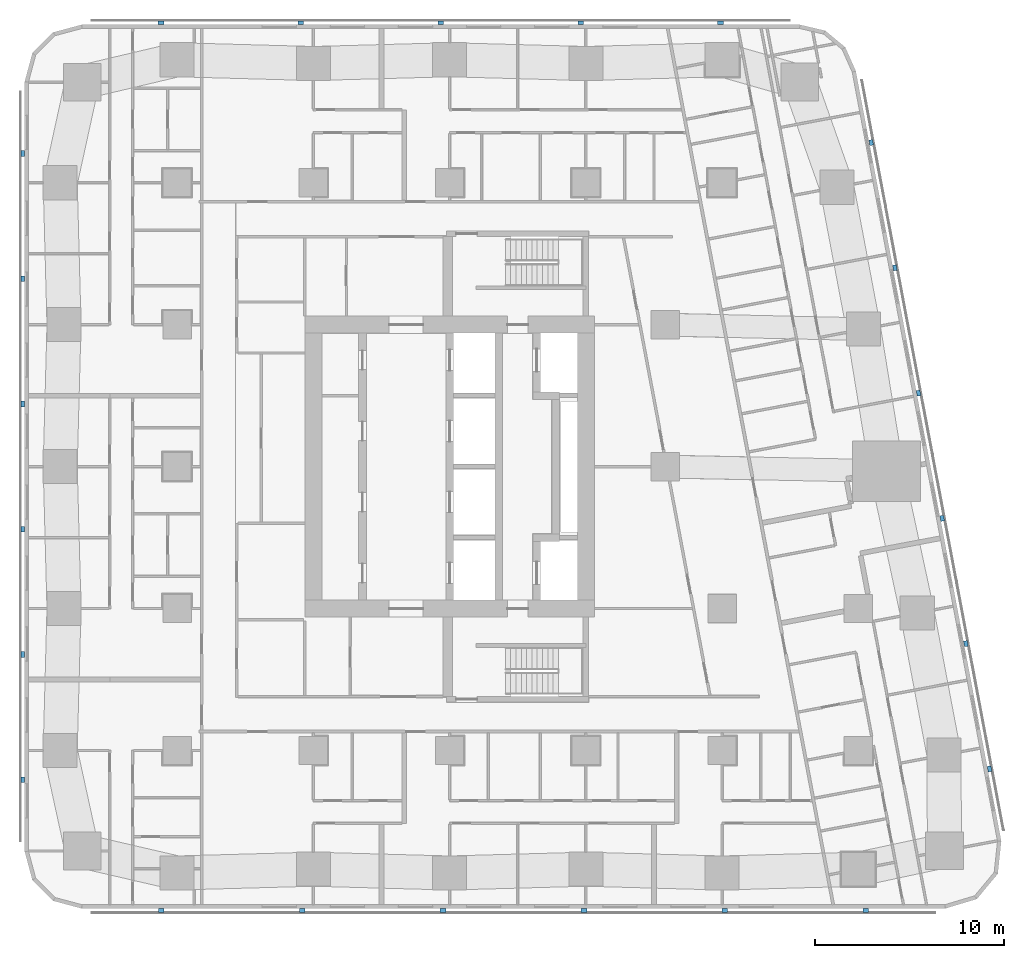
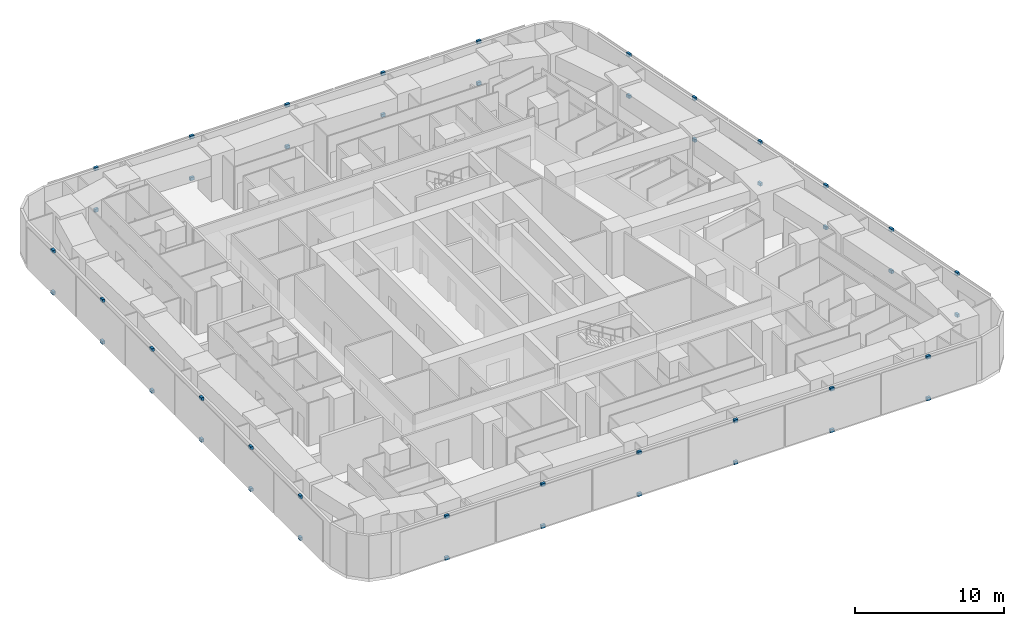
# One storey, part 12 of 15: 46 discrete accessories.
"""IFC4 building model written with IfcOpenShell, lengths in metres."""

import ifcopenshell
import ifcopenshell.guid

model = None  # the IFC model being written
_history = None  # IfcOwnerHistory: only IFC2X3 demands one
_inside = {}  # id of a spatial element -> (the spatial element, [elements in it])
_under = {}  # id of a project, library or spatial element -> (it, [spatial elements below it])
_declared = {}  # id of a project -> (the project, [libraries it declares])
_typed = {}  # id of a type object -> (the type object, [elements of that type])
_made_of = {}  # id of a material, layer set ... -> (it, [elements and type objects made of it])


def new_model(schema):
    """Start an empty IFC model of exactly this schema.

    Asked for "IFC4X3", IfcOpenShell would pick the latest addendum, in which some entities
    have other attributes; the version numbers below select the first issue.
    IFC2X3 requires an IfcOwnerHistory on every rooted entity: one is made here for all.
    """
    global model, _history
    if schema == "IFC4X3":
        model = ifcopenshell.file(schema_version=(4, 3, 0, 0))
    else:
        model = ifcopenshell.file(schema=schema)
    _inside.clear()
    _under.clear()
    _declared.clear()
    _typed.clear()
    _made_of.clear()
    _history = None
    if model.schema == "IFC2X3":
        org = make("IfcOrganization", Name="unknown")
        user = make(
            "IfcPersonAndOrganization",
            ThePerson=make("IfcPerson", FamilyName="unknown"),
            TheOrganization=org,
        )
        app = make(
            "IfcApplication",
            ApplicationDeveloper=org,
            Version="unknown",
            ApplicationFullName="unknown",
            ApplicationIdentifier="unknown",
        )
        _history = make(
            "IfcOwnerHistory",
            OwningUser=user,
            OwningApplication=app,
            ChangeAction="ADDED",
            CreationDate=0,
        )
    return model


def make(cls, **values):
    """One entity of the class cls with the attributes given. An attribute that is None is left unset."""
    return model.create_entity(
        cls, **{name: value for name, value in values.items() if value is not None}
    )


def rooted(cls, **values):
    """An entity with a GlobalId (a new one), such as an element, a storey or a relation."""
    return make(cls, GlobalId=ifcopenshell.guid.new(), OwnerHistory=_history, **values)


def si_unit(unit_type, name, prefix=None):
    """IfcSIUnit, for example si_unit("LENGTHUNIT", "METRE", prefix="MILLI")."""
    return make("IfcSIUnit", UnitType=unit_type, Prefix=prefix, Name=name)


def assignment(units):
    """IfcUnitAssignment: the units of a project."""
    return None if units is None else make("IfcUnitAssignment", Units=units)


def point(xyz):
    """IfcCartesianPoint."""
    return None if xyz is None else make("IfcCartesianPoint", Coordinates=xyz)


def direction(xyz):
    """IfcDirection."""
    return None if xyz is None else make("IfcDirection", DirectionRatios=xyz)


def frame(location, z_axis=None, x_axis=None):
    """IfcAxis2Placement3D, a coordinate frame: its origin and axes. An axis left out is left unset."""
    return make(
        "IfcAxis2Placement3D",
        Location=point(location),
        Axis=direction(z_axis),
        RefDirection=direction(x_axis),
    )


def frame_2d(location, x_axis=None):
    """IfcAxis2Placement2D, a coordinate frame in the plane: its origin and x axis."""
    return make(
        "IfcAxis2Placement2D", Location=point(location), RefDirection=direction(x_axis)
    )


def origin():
    """The frame at (0, 0, 0) with its axes left unset."""
    return frame((0.0, 0.0, 0.0))


def origin_2d():
    """The frame at (0, 0) in the plane with its x axis left unset."""
    return frame_2d((0.0, 0.0))


def place(relative_to, where):
    """IfcLocalPlacement: puts the frame where relative to a parent placement (None: the world)."""
    return make(
        "IfcLocalPlacement", PlacementRelTo=relative_to, RelativePlacement=where
    )


def context(
    kind, dimensions, precision=None, world=None, true_north=None, identifier=None
):
    """IfcGeometricRepresentationContext, for example the 3D "Model" context."""
    return make(
        "IfcGeometricRepresentationContext",
        ContextIdentifier=identifier,
        ContextType=kind,
        CoordinateSpaceDimension=dimensions,
        Precision=precision,
        WorldCoordinateSystem=world,
        TrueNorth=true_north,
    )


def subcontext(parent, identifier, kind, view, scale=None):
    """IfcGeometricRepresentationSubContext, for example "Body" below "Model"."""
    return make(
        "IfcGeometricRepresentationSubContext",
        ContextIdentifier=identifier,
        ContextType=kind,
        ParentContext=parent,
        TargetScale=scale,
        TargetView=view,
    )


def project(units=None, contexts=None):
    """IfcProject with its units and contexts."""
    return rooted(
        "IfcProject",
        Name="project",
        RepresentationContexts=contexts,
        UnitsInContext=assignment(units),
    )


def spatial(cls, under=None, at=None, **own):
    """A site, building, storey or space (cls), placed at a placement, below another one or the project."""
    s = rooted(cls, ObjectPlacement=at, **own)
    if under is not None:
        _under.setdefault(under.id(), (under, []))[1].append(s)
    return s


def profile(cls, at=None, kind="AREA", **sizes):
    """A parametric profile (cls). Its sizes go by their IFC names, for example OverallWidth=200.0."""
    return make(cls, ProfileType=kind, Position=at, **sizes)


def rectangle(**sizes):
    """IfcRectangleProfileDef."""
    return profile("IfcRectangleProfileDef", **sizes)


def extrude(swept, where, along, depth):
    """IfcExtrudedAreaSolid: the profile swept, set in the frame where, extruded along a direction by depth."""
    return make(
        "IfcExtrudedAreaSolid",
        SweptArea=swept,
        Position=where,
        ExtrudedDirection=direction(along),
        Depth=depth,
    )


def shape(context_of_items, identifier, shape_type, items):
    """IfcShapeRepresentation: the items that make up one representation, for example the "Body"."""
    return make(
        "IfcShapeRepresentation",
        ContextOfItems=context_of_items,
        RepresentationIdentifier=identifier,
        RepresentationType=shape_type,
        Items=items,
    )


def material(Name=None, Category=None):
    """IfcMaterial."""
    return make("IfcMaterial", Name=Name, Category=Category)


def made_of(thing, what):
    """Note that an element or type object is made of a material, layer set ...; save() writes the relation."""
    if what is not None:
        _made_of.setdefault(what.id(), (what, []))[1].append(thing)
    return thing


def type_object(cls, material=None, **own):
    """A type object (cls), such as IfcWallType, which elements share."""
    return made_of(rooted(cls, **own), material)


def element(
    cls,
    number,
    at=None,
    inside=None,
    cuts=None,
    type_object=None,
    material=None,
    context=None,
    identifier="Body",
    shape_type=None,
    held_by="IfcProductDefinitionShape",
    body=None,
    shapes=None,
    **own,
):
    """One element of the class cls, such as IfcWall. Its Tag is "e" and its number.

    at: its placement. inside: the storey or other place that contains it. cuts: it is an
    opening in that element (IfcRelVoidsElement). A single representation is given by context,
    identifier, shape_type and body (its items); several are given by shapes. held_by: the class
    of the entity that holds the representations. save() writes the other relations.
    """
    e = rooted(cls, Tag="e%d" % number, ObjectPlacement=at, **own)
    if body is not None:
        shapes = [shape(context, identifier, shape_type, body)]
    if shapes is not None:
        e.Representation = make(held_by, Representations=shapes)
    if inside is not None:
        _inside.setdefault(inside.id(), (inside, []))[1].append(e)
    if cuts is not None:
        rooted(
            "IfcRelVoidsElement", RelatingBuildingElement=cuts, RelatedOpeningElement=e
        )
    if type_object is not None:
        _typed.setdefault(type_object.id(), (type_object, []))[1].append(e)
    return made_of(e, material)


def aggregate(whole, parts):
    """IfcRelAggregates: a whole, such as a stair, and the parts it consists of."""
    return rooted("IfcRelAggregates", RelatingObject=whole, RelatedObjects=parts)


def save(model, path):
    """Write the relations noted so far, then the file.

    IfcRelAggregates (storeys below a building ...), IfcRelContainedInSpatialStructure (elements
    in a storey), IfcRelDefinesByType, IfcRelAssociatesMaterial and IfcRelDeclares: one each for
    every whole, place, type object, material and project.
    """
    for whole, parts in _under.values():
        aggregate(whole, parts)
    for where, things in _inside.values():
        rooted(
            "IfcRelContainedInSpatialStructure",
            RelatedElements=things,
            RelatingStructure=where,
        )
    for kind, things in _typed.values():
        rooted("IfcRelDefinesByType", RelatedObjects=things, RelatingType=kind)
    for what, things in _made_of.values():
        rooted("IfcRelAssociatesMaterial", RelatedObjects=things, RelatingMaterial=what)
    for by, libraries in _declared.values():
        rooted("IfcRelDeclares", RelatingContext=by, RelatedDefinitions=libraries)
    model.write(path)


model = new_model("IFC4")

# Units and contexts
model_context = context("Model", 3, precision=1e-05, world=origin(), true_north=direction((0.0, 1.0)))
body_context = subcontext(model_context, "Body", "Model", "MODEL_VIEW")
ifc_project = project(units=[si_unit("LENGTHUNIT", "METRE"), si_unit("AREAUNIT", "SQUARE_METRE"), si_unit("VOLUMEUNIT", "CUBIC_METRE"), si_unit("PLANEANGLEUNIT", "RADIAN"), si_unit("MASSUNIT", "GRAM", prefix="KILO")], contexts=[model_context])

# Site, building, storey
site_placement = place(None, origin())
site = spatial("IfcSite", under=ifc_project, at=site_placement, CompositionType="ELEMENT")
building_placement = place(site_placement, origin())
building = spatial("IfcBuilding", under=site, at=building_placement, Name="Sheger Commons Tower", CompositionType="ELEMENT")
storey_placement = place(building_placement, frame((0.0, 0.0, 162.050048828125)))
storey = spatial("IfcBuildingStorey", under=building, at=storey_placement, Name="L41", CompositionType="ELEMENT", Elevation=162.050048828125)

# Discrete accessories
ifc_material = material(Name="Black painted steel bracket", Category="steel")
discrete_accessory_type = type_object("IfcDiscreteAccessoryType", Name="SCREEN BRACKET 300x200x250", PredefinedType="BRACKET", material=ifc_material)
for number, where, z_axis, x_axis, name in (
    (1, (6.37109375, -0.949951171875, -0.10009765625), (0.0, 0.0, 1.0), (1.0, 0.0, 0.0), "Solar screen foot bracket"),
    (2, (6.37109375, -0.949951171875, 3.300048828125), (0.0, 0.0, 1.0), (1.0, 0.0, 0.0), "Solar screen head bracket"),
    (3, (13.81396484375, -0.949951171875, -0.10009765625), (0.0, 0.0, 1.0), (1.0, 0.0, 0.0), "Solar screen foot bracket"),
    (4, (13.81396484375, -0.949951171875, 3.300048828125), (0.0, 0.0, 1.0), (1.0, 0.0, 0.0), "Solar screen head bracket"),
    (5, (21.257080078125, -0.949951171875, -0.10009765625), (0.0, 0.0, 1.0), (1.0, 0.0, 0.0), "Solar screen foot bracket"),
    (6, (21.257080078125, -0.949951171875, 3.300048828125), (0.0, 0.0, 1.0), (1.0, 0.0, 0.0), "Solar screen head bracket"),
    (7, (28.698974609375, -0.949951171875, -0.10009765625), (0.0, 0.0, 1.0), (1.0, 0.0, 0.0), "Solar screen foot bracket"),
    (8, (28.698974609375, -0.949951171875, 3.300048828125), (0.0, 0.0, 1.0), (1.0, 0.0, 0.0), "Solar screen head bracket"),
    (9, (36.14208984375, -0.949951171875, -0.10009765625), (0.0, 0.0, 1.0), (1.0, 0.0, 0.0), "Solar screen foot bracket"),
    (10, (36.14208984375, -0.949951171875, 3.300048828125), (0.0, 0.0, 1.0), (1.0, 0.0, 0.0), "Solar screen head bracket"),
    (11, (43.5849609375, -0.949951171875, -0.10009765625), (0.0, 0.0, 1.0), (1.0, 0.0, 0.0), "Solar screen foot bracket"),
    (12, (43.5849609375, -0.949951171875, 3.300048828125), (0.0, 0.0, 1.0), (1.0, 0.0, 0.0), "Solar screen head bracket"),
    (13, (50.134033203125, 6.527099609375, -0.10009765625), (0.0, 0.0, 1.0), (-0.185615165645, 0.982622516678, 0.0), "Solar screen foot bracket"),
    (14, (50.134033203125, 6.527099609375, 3.300048828125), (0.0, 0.0, 1.0), (-0.185615165645, 0.982622516678, 0.0), "Solar screen head bracket"),
    (15, (48.884033203125, 13.14599609375, -0.10009765625), (0.0, 0.0, 1.0), (-0.185615165645, 0.982622516678, 0.0), "Solar screen foot bracket"),
    (16, (48.884033203125, 13.14599609375, 3.300048828125), (0.0, 0.0, 1.0), (-0.185615165645, 0.982622516678, 0.0), "Solar screen head bracket"),
    (17, (47.633056640625, 19.76611328125, -0.10009765625), (0.0, 0.0, 1.0), (-0.185615165645, 0.982622516678, 0.0), "Solar screen foot bracket"),
    (18, (47.633056640625, 19.76611328125, 3.300048828125), (0.0, 0.0, 1.0), (-0.185615165645, 0.982622516678, 0.0), "Solar screen head bracket"),
    (19, (46.383056640625, 26.385009765625, -0.10009765625), (0.0, 0.0, 1.0), (-0.185615165645, 0.982622516678, 0.0), "Solar screen foot bracket"),
    (20, (46.383056640625, 26.385009765625, 3.300048828125), (0.0, 0.0, 1.0), (-0.185615165645, 0.982622516678, 0.0), "Solar screen head bracket"),
    (21, (45.133056640625, 33.0048828125, -0.10009765625), (0.0, 0.0, 1.0), (-0.185615165645, 0.982622516678, 0.0), "Solar screen foot bracket"),
    (22, (45.133056640625, 33.0048828125, 3.300048828125), (0.0, 0.0, 1.0), (-0.185615165645, 0.982622516678, 0.0), "Solar screen head bracket"),
    (23, (43.882080078125, 39.6240234375, -0.10009765625), (0.0, 0.0, 1.0), (-0.185615165645, 0.982622516678, 0.0), "Solar screen foot bracket"),
    (24, (43.882080078125, 39.6240234375, 3.300048828125), (0.0, 0.0, 1.0), (-0.185615165645, 0.982622516678, 0.0), "Solar screen head bracket"),
    (25, (35.9208984375, 45.949951171875, -0.10009765625), (0.0, 0.0, 1.0), (-1.0, 0.0, 0.0), "Solar screen foot bracket"),
    (26, (35.9208984375, 45.949951171875, 3.300048828125), (0.0, 0.0, 1.0), (-1.0, 0.0, 0.0), "Solar screen head bracket"),
    (27, (28.528076171875, 45.949951171875, -0.10009765625), (0.0, 0.0, 1.0), (-1.0, 0.0, 0.0), "Solar screen foot bracket"),
    (28, (28.528076171875, 45.949951171875, 3.300048828125), (0.0, 0.0, 1.0), (-1.0, 0.0, 0.0), "Solar screen head bracket"),
    (29, (21.134033203125, 45.949951171875, -0.10009765625), (0.0, 0.0, 1.0), (-1.0, 0.0, 0.0), "Solar screen foot bracket"),
    (30, (21.134033203125, 45.949951171875, 3.300048828125), (0.0, 0.0, 1.0), (-1.0, 0.0, 0.0), "Solar screen head bracket"),
    (31, (13.739990234375, 45.949951171875, -0.10009765625), (0.0, 0.0, 1.0), (-1.0, 0.0, 0.0), "Solar screen foot bracket"),
    (32, (13.739990234375, 45.949951171875, 3.300048828125), (0.0, 0.0, 1.0), (-1.0, 0.0, 0.0), "Solar screen head bracket"),
    (33, (6.346923828125, 45.949951171875, -0.10009765625), (0.0, 0.0, 1.0), (-1.0, 0.0, 0.0), "Solar screen foot bracket"),
    (34, (6.346923828125, 45.949951171875, 3.300048828125), (0.0, 0.0, 1.0), (-1.0, 0.0, 0.0), "Solar screen head bracket"),
    (35, (-0.949951171875, 39.0419921875, -0.10009765625), (0.0, 0.0, 1.0), (0.0, -1.0, 0.0), "Solar screen foot bracket"),
    (36, (-0.949951171875, 39.0419921875, 3.300048828125), (0.0, 0.0, 1.0), (0.0, -1.0, 0.0), "Solar screen head bracket"),
    (37, (-0.949951171875, 32.425048828125, -0.10009765625), (0.0, 0.0, 1.0), (0.0, -1.0, 0.0), "Solar screen foot bracket"),
    (38, (-0.949951171875, 32.425048828125, 3.300048828125), (0.0, 0.0, 1.0), (0.0, -1.0, 0.0), "Solar screen head bracket"),
    (39, (-0.949951171875, 25.80810546875, -0.10009765625), (0.0, 0.0, 1.0), (0.0, -1.0, 0.0), "Solar screen foot bracket"),
    (40, (-0.949951171875, 25.80810546875, 3.300048828125), (0.0, 0.0, 1.0), (0.0, -1.0, 0.0), "Solar screen head bracket"),
    (41, (-0.949951171875, 19.19189453125, -0.10009765625), (0.0, 0.0, 1.0), (0.0, -1.0, 0.0), "Solar screen foot bracket"),
    (42, (-0.949951171875, 19.19189453125, 3.300048828125), (0.0, 0.0, 1.0), (0.0, -1.0, 0.0), "Solar screen head bracket"),
    (43, (-0.949951171875, 12.574951171875, -0.10009765625), (0.0, 0.0, 1.0), (0.0, -1.0, 0.0), "Solar screen foot bracket"),
    (44, (-0.949951171875, 12.574951171875, 3.300048828125), (0.0, 0.0, 1.0), (0.0, -1.0, 0.0), "Solar screen head bracket"),
    (45, (-0.949951171875, 5.9580078125, -0.10009765625), (0.0, 0.0, 1.0), (0.0, -1.0, 0.0), "Solar screen foot bracket"),
    (46, (-0.949951171875, 5.9580078125, 3.300048828125), (0.0, 0.0, 1.0), (0.0, -1.0, 0.0), "Solar screen head bracket"),
):
    element("IfcDiscreteAccessory", number, at=place(storey_placement, frame(where, z_axis=z_axis, x_axis=x_axis)), inside=storey, type_object=discrete_accessory_type, Name=name, PredefinedType="BRACKET", context=body_context, shape_type="SweptSolid", body=[
        extrude(rectangle(XDim=0.300048828125, YDim=0.199951171875, at=origin_2d()), origin(), (0.0, 0.0, 1.0), 0.25),
    ])

save(model, "model.ifc")
